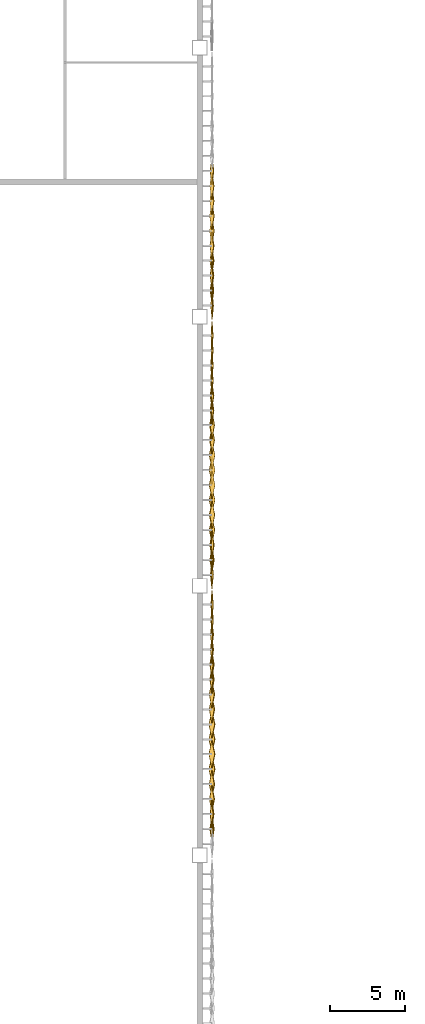
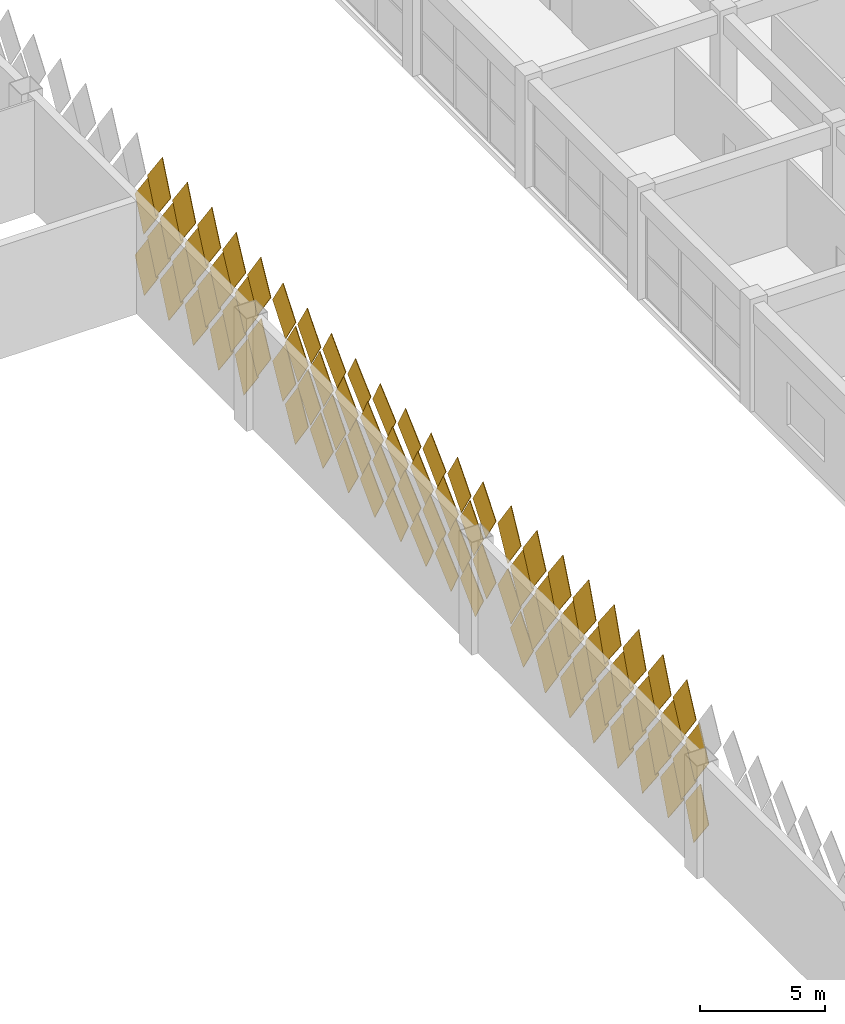
# One storey, part 174 of 185: 86 coverings.
"""IFC4 building model written with IfcOpenShell, lengths in metres."""

from ifc_helpers import new_model, si_unit, direction, frame, origin, place, context, subcontext, project, spatial, polyline, outline, extrude, material, material_profile, profile_set, type_object, element, save


model = new_model("IFC4")

# Units and contexts
model_context = context("Model", 3, precision=1e-05, world=origin(), true_north=direction((0.0, 1.0)))
body_context = subcontext(model_context, "Body", "Model", "MODEL_VIEW")
ifc_project = project(units=[si_unit("LENGTHUNIT", "METRE"), si_unit("AREAUNIT", "SQUARE_METRE"), si_unit("VOLUMEUNIT", "CUBIC_METRE"), si_unit("PLANEANGLEUNIT", "RADIAN"), si_unit("MASSUNIT", "GRAM", prefix="KILO")], contexts=[model_context])

# Site, building, storey
site_placement = place(None, origin())
site = spatial("IfcSite", under=ifc_project, at=site_placement, CompositionType="ELEMENT")
building_placement = place(site_placement, origin())
building = spatial("IfcBuilding", under=site, at=building_placement, Name="Opaline Strait Convention Centre", CompositionType="ELEMENT")
storey_placement = place(building_placement, frame((0.0, 0.0, 6.0)))
storey = spatial("IfcBuildingStorey", under=building, at=storey_placement, Name="L01", CompositionType="ELEMENT", Elevation=6.0)

# Coverings
ifc_material = material(Name="White ceramic-faced aluminium tile", Category="aluminium")
ifc_material_profile_1 = material_profile(ifc_material, outline(polyline([(0.927978515625, 0.0), (0.0, 1.39208984375), (-0.927978515625, 0.0), (0.0, -1.39208984375), (0.927978515625, 0.0)])), Name="Diamond tile 1856x2784")
ifc_profile_set_1 = profile_set([ifc_material_profile_1], Name="White ceramic-faced aluminium tile")
covering_type_1 = type_object("IfcCoveringType", Name="Diamond wall tile 1856x2784x30 pivot 2.5 deg", PredefinedType="CLADDING", material=ifc_profile_set_1)
for number, where, z_axis, x_axis, name in (
    (1, (261.800048828125, 121.75, 1.39208984375), (0.999174794796, 0.0, 0.040616861577), (0.0, 1.0, 0.0), "Wall tile XT05 E"),
    (2, (261.800048828125, 123.75, 1.39208984375), (0.998812351125, 0.0, -0.048722553713), (0.0, 1.0, 0.0), "Wall tile XT05 E"),
    (3, (261.800048828125, 122.75, 2.89208984375), (0.999174794796, 0.0, 0.040616861577), (0.0, 1.0, 0.0), "Wall tile XT05 E"),
    (4, (261.800048828125, 124.75, 2.89208984375), (0.998812351125, 0.0, -0.048722553713), (0.0, 1.0, 0.0), "Wall tile XT05 E"),
    (5, (261.800048828125, 123.75, 4.39208984375), (0.999174794796, 0.0, 0.040616861577), (0.0, 1.0, 0.0), "Wall tile XT05 E"),
    (6, (261.800048828125, 124.75, 5.89208984375), (0.999174794796, 0.0, 0.040616861577), (0.0, 1.0, 0.0), "Wall tile XT05 E"),
    (7, (261.800048828125, 126.75, 5.89208984375), (0.998812351125, 0.0, -0.048722553713), (0.0, 1.0, 0.0), "Wall tile XT05 E"),
):
    element("IfcCovering", number, at=place(storey_placement, frame(where, z_axis=z_axis, x_axis=x_axis)), inside=storey, type_object=covering_type_1, Name=name, PredefinedType="CLADDING", context=body_context, shape_type="SweptSolid", body=[
        extrude(outline(polyline([(0.927978515625, 0.0), (0.0, 1.39208984375), (-0.927978515625, 0.0), (0.0, -1.39208984375), (0.927978515625, 0.0)])), origin(), (0.0, 0.0, 1.0), 0.030029296875),
    ])
ifc_material_profile_2 = material_profile(ifc_material, outline(polyline([(0.927978515625, 0.0), (0.0, 1.39208984375), (-0.927978515625, 0.0), (0.0, -1.39208984375), (0.927978515625, 0.0)])), Name="Diamond tile 1856x2784")
ifc_profile_set_2 = profile_set([ifc_material_profile_2], Name="White ceramic-faced aluminium tile")
covering_type_2 = type_object("IfcCoveringType", Name="Diamond wall tile 1856x2784x30 pivot 3 deg", PredefinedType="CLADDING", material=ifc_profile_set_2)
for number, where, z_axis, x_axis, name in (
    (8, (261.800048828125, 103.75, 1.39208984375), (0.998384516691, 0.0, -0.056818631031), (0.0, 1.0, 0.0), "Wall tile XT06 E"),
    (9, (261.800048828125, 105.75, 1.39208984375), (0.998812351125, 0.0, 0.048722553713), (0.0, 1.0, 0.0), "Wall tile XT06 E"),
    (10, (261.800048828125, 104.75, 2.89208984375), (0.998384516691, 0.0, -0.056818631031), (0.0, 1.0, 0.0), "Wall tile XT06 E"),
    (11, (261.800048828125, 106.75, 2.89208984375), (0.998812351125, 0.0, 0.048722553713), (0.0, 1.0, 0.0), "Wall tile XT06 E"),
    (12, (261.800048828125, 105.75, 4.39208984375), (0.998384516691, 0.0, -0.056818631031), (0.0, 1.0, 0.0), "Wall tile XT06 E"),
    (13, (261.800048828125, 106.75, 5.89208984375), (0.998384516691, 0.0, -0.056818631031), (0.0, 1.0, 0.0), "Wall tile XT06 E"),
    (14, (261.800048828125, 108.75, 5.89208984375), (0.998812351125, 0.0, 0.048722553713), (0.0, 1.0, 0.0), "Wall tile XT06 E"),
):
    element("IfcCovering", number, at=place(storey_placement, frame(where, z_axis=z_axis, x_axis=x_axis)), inside=storey, type_object=covering_type_2, Name=name, PredefinedType="CLADDING", context=body_context, shape_type="SweptSolid", body=[
        extrude(outline(polyline([(0.927978515625, 0.0), (0.0, 1.39208984375), (-0.927978515625, 0.0), (0.0, -1.39208984375), (0.927978515625, 0.0)])), origin(), (0.0, 0.0, 1.0), 0.030029296875),
    ])
ifc_material_profile_3 = material_profile(ifc_material, outline(polyline([(0.927978515625, 0.0), (0.0, 1.39208984375), (-0.927978515625, 0.0), (0.0, -1.39208984375), (0.927978515625, 0.0)])), Name="Diamond tile 1856x2784")
ifc_profile_set_3 = profile_set([ifc_material_profile_3], Name="White ceramic-faced aluminium tile")
covering_type_3 = type_object("IfcCoveringType", Name="Diamond wall tile 1856x2784x30 pivot 3.5 deg", PredefinedType="CLADDING", material=ifc_profile_set_3)
for number, where, z_axis, x_axis, name in (
    (15, (261.800048828125, 119.75, 1.39208984375), (0.99835799028, 0.0, 0.057282835508), (0.0, 1.0, 0.0), "Wall tile XT07 E"),
    (16, (261.800048828125, 120.75, 2.89208984375), (0.99835799028, 0.0, 0.057282835508), (0.0, 1.0, 0.0), "Wall tile XT07 E"),
    (17, (261.800048828125, 126.75, 2.89208984375), (0.99785694905, 0.0, -0.065433242561), (0.0, 1.0, 0.0), "Wall tile XT07 E"),
    (18, (261.800048828125, 127.75, 4.39208984375), (0.99785694905, 0.0, -0.065433242561), (0.0, 1.0, 0.0), "Wall tile XT07 E"),
    (19, (261.800048828125, 128.75, 5.89208984375), (0.99785694905, 0.0, -0.065433242561), (0.0, 1.0, 0.0), "Wall tile XT07 E"),
):
    element("IfcCovering", number, at=place(storey_placement, frame(where, z_axis=z_axis, x_axis=x_axis)), inside=storey, type_object=covering_type_3, Name=name, PredefinedType="CLADDING", context=body_context, shape_type="SweptSolid", body=[
        extrude(outline(polyline([(0.927978515625, 0.0), (0.0, 1.39208984375), (-0.927978515625, 0.0), (0.0, -1.39208984375), (0.927978515625, 0.0)])), origin(), (0.0, 0.0, 1.0), 0.02978515625),
    ])
ifc_material_profile_4 = material_profile(ifc_material, outline(polyline([(0.927978515625, 0.0), (0.0, 1.39208984375), (-0.927978515625, 0.0), (0.0, -1.39208984375), (0.927978515625, 0.0)])), Name="Diamond tile 1856x2784")
ifc_profile_set_4 = profile_set([ifc_material_profile_4], Name="White ceramic-faced aluminium tile")
covering_type_4 = type_object("IfcCoveringType", Name="Diamond wall tile 1856x2784x30 pivot 4 deg", PredefinedType="CLADDING", material=ifc_profile_set_4)
for number, where, z_axis, x_axis, name in (
    (20, (261.800048828125, 101.75, 1.39208984375), (0.997290013252, 0.0, -0.073570574748), (0.0, 1.0, 0.0), "Wall tile XT08 E"),
    (21, (261.800048828125, 102.75, 2.89208984375), (0.997290013252, 0.0, -0.073570574748), (0.0, 1.0, 0.0), "Wall tile XT08 E"),
    (22, (261.800048828125, 91.75, 4.39208984375), (0.997290013252, 0.0, -0.073570574748), (0.0, 1.0, 0.0), "Wall tile XT08 E"),
    (23, (261.800048828125, 109.75, 4.39208984375), (0.99785694905, 0.0, 0.065433242561), (0.0, 1.0, 0.0), "Wall tile XT08 E"),
    (24, (261.800048828125, 121.75, 4.39208984375), (0.99785694905, 0.0, 0.065433242561), (0.0, 1.0, 0.0), "Wall tile XT08 E"),
    (25, (261.800048828125, 92.75, 5.89208984375), (0.997290013252, 0.0, -0.073570574748), (0.0, 1.0, 0.0), "Wall tile XT08 E"),
    (26, (261.800048828125, 110.75, 5.89208984375), (0.99785694905, 0.0, 0.065433242561), (0.0, 1.0, 0.0), "Wall tile XT08 E"),
    (27, (261.800048828125, 122.75, 5.89208984375), (0.99785694905, 0.0, 0.065433242561), (0.0, 1.0, 0.0), "Wall tile XT08 E"),
):
    element("IfcCovering", number, at=place(storey_placement, frame(where, z_axis=z_axis, x_axis=x_axis)), inside=storey, type_object=covering_type_4, Name=name, PredefinedType="CLADDING", context=body_context, shape_type="SweptSolid", body=[
        extrude(outline(polyline([(0.927978515625, 0.0), (0.0, 1.39208984375), (-0.927978515625, 0.0), (0.0, -1.39208984375), (0.927978515625, 0.0)])), origin(), (0.0, 0.0, 1.0), 0.02978515625),
    ])
ifc_material_profile_5 = material_profile(ifc_material, outline(polyline([(0.927978515625, 0.0), (0.0, 1.39208984375), (-0.927978515625, 0.0), (0.0, -1.39208984375), (0.927978515625, 0.0)])), Name="Diamond tile 1856x2784")
ifc_profile_set_5 = profile_set([ifc_material_profile_5], Name="White ceramic-faced aluminium tile")
covering_type_5 = type_object("IfcCoveringType", Name="Diamond wall tile 1856x2784x30 pivot 4.5 deg", PredefinedType="CLADDING", material=ifc_profile_set_5)
for number, where, z_axis, x_axis, name in (
    (28, (261.800048828125, 135.75, 1.39208984375), (0.996657521232, 0.0, -0.081693239445), (0.0, 1.0, 0.0), "Wall tile XT09 E"),
    (29, (261.800048828125, 108.75, 2.89208984375), (0.997290013252, 0.0, 0.073570574748), (0.0, 1.0, 0.0), "Wall tile XT09 E"),
    (30, (261.800048828125, 103.75, 4.39208984375), (0.996657521232, 0.0, -0.081693239445), (0.0, 1.0, 0.0), "Wall tile XT09 E"),
    (31, (261.800048828125, 104.75, 5.89208984375), (0.996657521232, 0.0, -0.081693239445), (0.0, 1.0, 0.0), "Wall tile XT09 E"),
):
    element("IfcCovering", number, at=place(storey_placement, frame(where, z_axis=z_axis, x_axis=x_axis)), inside=storey, type_object=covering_type_5, Name=name, PredefinedType="CLADDING", context=body_context, shape_type="SweptSolid", body=[
        extrude(outline(polyline([(0.927978515625, 0.0), (0.0, 1.39208984375), (-0.927978515625, 0.0), (0.0, -1.39208984375), (0.927978515625, 0.0)])), origin(), (0.0, 0.0, 1.0), 0.02978515625),
    ])
ifc_material_profile_6 = material_profile(ifc_material, outline(polyline([(0.927978515625, 0.0), (0.0, 1.39208984375), (-0.927978515625, 0.0), (0.0, -1.39208984375), (0.927978515625, 0.0)])), Name="Diamond tile 1856x2784")
ifc_profile_set_6 = profile_set([ifc_material_profile_6], Name="White ceramic-faced aluminium tile")
covering_type_6 = type_object("IfcCoveringType", Name="Diamond wall tile 1856x2784x30 pivot 5 deg", PredefinedType="CLADDING", material=ifc_profile_set_6)
for number, where, z_axis, x_axis, name in (
    (32, (261.800048828125, 129.75, 4.39208984375), (0.995959849254, 0.0, -0.089799658539), (0.0, 1.0, 0.0), "Wall tile XT10 E"),
    (33, (261.800048828125, 130.75, 5.89208984375), (0.995959849254, 0.0, -0.089799658539), (0.0, 1.0, 0.0), "Wall tile XT10 E"),
):
    element("IfcCovering", number, at=place(storey_placement, frame(where, z_axis=z_axis, x_axis=x_axis)), inside=storey, type_object=covering_type_6, Name=name, PredefinedType="CLADDING", context=body_context, shape_type="SweptSolid", body=[
        extrude(outline(polyline([(0.927978515625, 0.0), (0.0, 1.39208984375), (-0.927978515625, 0.0), (0.0, -1.39208984375), (0.927978515625, 0.0)])), origin(), (0.0, 0.0, 1.0), 0.02978515625),
    ])
ifc_material_profile_7 = material_profile(ifc_material, outline(polyline([(0.927978515625, 0.0), (0.0, 1.39208984375), (-0.927978515625, 0.0), (0.0, -1.39208984375), (0.927978515625, 0.0)])), Name="Diamond tile 1856x2784")
ifc_profile_set_7 = profile_set([ifc_material_profile_7], Name="White ceramic-faced aluminium tile")
covering_type_7 = type_object("IfcCoveringType", Name="Diamond wall tile 1856x2784x30 pivot 5.5 deg", PredefinedType="CLADDING", material=ifc_profile_set_7)
for number, where, z_axis, x_axis, name in (
    (34, (261.800048828125, 127.75, 1.39208984375), (0.995197410875, 0.0, -0.097888269922), (0.0, 1.0, 0.0), "Wall tile XT11 E"),
    (35, (261.800048828125, 133.75, 1.39208984375), (0.995197410875, 0.0, -0.097888269922), (0.0, 1.0, 0.0), "Wall tile XT11 E"),
    (36, (261.800048828125, 128.75, 2.89208984375), (0.995197410875, 0.0, -0.097888269922), (0.0, 1.0, 0.0), "Wall tile XT11 E"),
    (37, (261.800048828125, 134.75, 2.89208984375), (0.995197410875, 0.0, -0.097888269922), (0.0, 1.0, 0.0), "Wall tile XT11 E"),
    (38, (261.800048828125, 135.75, 4.39208984375), (0.995197410875, 0.0, -0.097888269922), (0.0, 1.0, 0.0), "Wall tile XT11 E"),
):
    element("IfcCovering", number, at=place(storey_placement, frame(where, z_axis=z_axis, x_axis=x_axis)), inside=storey, type_object=covering_type_7, Name=name, PredefinedType="CLADDING", context=body_context, shape_type="SweptSolid", body=[
        extrude(outline(polyline([(0.927978515625, 0.0), (0.0, 1.39208984375), (-0.927978515625, 0.0), (0.0, -1.39208984375), (0.927978515625, 0.0)])), origin(), (0.0, 0.0, 1.0), 0.030029296875),
    ])
ifc_material_profile_8 = material_profile(ifc_material, outline(polyline([(0.927978515625, 0.0), (0.0, 1.39208984375), (-0.927978515625, 0.0), (0.0, -1.39208984375), (0.927978515625, 0.0)])), Name="Diamond tile 1856x2784")
ifc_profile_set_8 = profile_set([ifc_material_profile_8], Name="White ceramic-faced aluminium tile")
covering_type_8 = type_object("IfcCoveringType", Name="Diamond wall tile 1856x2784x30 pivot 6 deg", PredefinedType="CLADDING", material=ifc_profile_set_8)
for number, where, z_axis, x_axis, name in (
    (39, (261.800048828125, 117.75, 1.39208984375), (0.995197410875, 0.0, 0.097888269922), (0.0, 1.0, 0.0), "Wall tile XT12 E"),
    (40, (261.800048828125, 129.75, 1.39208984375), (0.994370656274, 0.0, -0.105957528947), (0.0, 1.0, 0.0), "Wall tile XT12 E"),
    (41, (261.800048828125, 92.75, 2.89208984375), (0.994370656274, 0.0, -0.105957528947), (0.0, 1.0, 0.0), "Wall tile XT12 E"),
    (42, (261.800048828125, 118.75, 2.89208984375), (0.995197410875, 0.0, 0.097888269922), (0.0, 1.0, 0.0), "Wall tile XT12 E"),
    (43, (261.800048828125, 130.75, 2.89208984375), (0.994370656274, 0.0, -0.105957528947), (0.0, 1.0, 0.0), "Wall tile XT12 E"),
    (44, (261.800048828125, 93.75, 4.39208984375), (0.994370656274, 0.0, -0.105957528947), (0.0, 1.0, 0.0), "Wall tile XT12 E"),
    (45, (261.800048828125, 119.75, 4.39208984375), (0.995197410875, 0.0, 0.097888269922), (0.0, 1.0, 0.0), "Wall tile XT12 E"),
    (46, (261.800048828125, 131.75, 4.39208984375), (0.994370656274, 0.0, -0.105957528947), (0.0, 1.0, 0.0), "Wall tile XT12 E"),
    (47, (261.800048828125, 133.75, 4.39208984375), (0.994370656274, 0.0, -0.105957528947), (0.0, 1.0, 0.0), "Wall tile XT12 E"),
    (48, (261.800048828125, 120.75, 5.89208984375), (0.995197410875, 0.0, 0.097888269922), (0.0, 1.0, 0.0), "Wall tile XT12 E"),
    (49, (261.800048828125, 132.75, 5.89208984375), (0.994370656274, 0.0, -0.105957528947), (0.0, 1.0, 0.0), "Wall tile XT12 E"),
    (50, (261.800048828125, 134.75, 5.89208984375), (0.994370656274, 0.0, -0.105957528947), (0.0, 1.0, 0.0), "Wall tile XT12 E"),
):
    element("IfcCovering", number, at=place(storey_placement, frame(where, z_axis=z_axis, x_axis=x_axis)), inside=storey, type_object=covering_type_8, Name=name, PredefinedType="CLADDING", context=body_context, shape_type="SweptSolid", body=[
        extrude(outline(polyline([(0.927978515625, 0.0), (0.0, 1.39208984375), (-0.927978515625, 0.0), (0.0, -1.39208984375), (0.927978515625, 0.0)])), origin(), (0.0, 0.0, 1.0), 0.030029296875),
    ])
ifc_material_profile_9 = material_profile(ifc_material, outline(polyline([(0.927978515625, 0.0), (0.0, 1.39208984375), (-0.927978515625, 0.0), (0.0, -1.39208984375), (0.927978515625, 0.0)])), Name="Diamond tile 1856x2784")
ifc_profile_set_9 = profile_set([ifc_material_profile_9], Name="White ceramic-faced aluminium tile")
covering_type_9 = type_object("IfcCoveringType", Name="Diamond wall tile 1856x2784x30 pivot 6.5 deg", PredefinedType="CLADDING", material=ifc_profile_set_9)
for number, where, z_axis, x_axis, name in (
    (51, (261.800048828125, 91.75, 1.39208984375), (0.993480071526, 0.0, -0.114005909847), (0.0, 1.0, 0.0), "Wall tile XT13 E"),
    (52, (261.800048828125, 99.75, 1.39208984375), (0.993480071526, 0.0, -0.114005909847), (0.0, 1.0, 0.0), "Wall tile XT13 E"),
    (53, (261.800048828125, 109.75, 1.39208984375), (0.993480071526, 0.0, 0.114005909847), (0.0, 1.0, 0.0), "Wall tile XT13 E"),
    (54, (261.800048828125, 131.75, 1.39208984375), (0.993480071526, 0.0, -0.114005909847), (0.0, 1.0, 0.0), "Wall tile XT13 E"),
    (55, (261.800048828125, 100.75, 2.89208984375), (0.993480071526, 0.0, -0.114005909847), (0.0, 1.0, 0.0), "Wall tile XT13 E"),
    (56, (261.800048828125, 110.75, 2.89208984375), (0.993480071526, 0.0, 0.114005909847), (0.0, 1.0, 0.0), "Wall tile XT13 E"),
    (57, (261.800048828125, 132.75, 2.89208984375), (0.993480071526, 0.0, -0.114005909847), (0.0, 1.0, 0.0), "Wall tile XT13 E"),
    (58, (261.800048828125, 101.75, 4.39208984375), (0.993480071526, 0.0, -0.114005909847), (0.0, 1.0, 0.0), "Wall tile XT13 E"),
    (59, (261.800048828125, 111.75, 4.39208984375), (0.993480071526, 0.0, 0.114005909847), (0.0, 1.0, 0.0), "Wall tile XT13 E"),
    (60, (261.800048828125, 94.75, 5.89208984375), (0.993480071526, 0.0, -0.114005909847), (0.0, 1.0, 0.0), "Wall tile XT13 E"),
    (61, (261.800048828125, 102.75, 5.89208984375), (0.993480071526, 0.0, -0.114005909847), (0.0, 1.0, 0.0), "Wall tile XT13 E"),
    (62, (261.800048828125, 112.75, 5.89208984375), (0.993480071526, 0.0, 0.114005909847), (0.0, 1.0, 0.0), "Wall tile XT13 E"),
):
    element("IfcCovering", number, at=place(storey_placement, frame(where, z_axis=z_axis, x_axis=x_axis)), inside=storey, type_object=covering_type_9, Name=name, PredefinedType="CLADDING", context=body_context, shape_type="SweptSolid", body=[
        extrude(outline(polyline([(0.927978515625, 0.0), (0.0, 1.39208984375), (-0.927978515625, 0.0), (0.0, -1.39208984375), (0.927978515625, 0.0)])), origin(), (0.0, 0.0, 1.0), 0.030029296875),
    ])
ifc_material_profile_10 = material_profile(ifc_material, outline(polyline([(0.927978515625, 0.0), (0.0, 1.39208984375), (-0.927978515625, 0.0), (0.0, -1.39208984375), (0.927978515625, 0.0)])), Name="Diamond tile 1856x2784")
ifc_profile_set_10 = profile_set([ifc_material_profile_10], Name="White ceramic-faced aluminium tile")
covering_type_10 = type_object("IfcCoveringType", Name="Diamond wall tile 1856x2784x30 pivot 7.5 deg", PredefinedType="CLADDING", material=ifc_profile_set_10)
for number, where, z_axis, x_axis, name in (
    (63, (261.800048828125, 93.75, 1.39208984375), (0.991509530601, 0.0, -0.1300340368), (0.0, 1.0, 0.0), "Wall tile XT15 E"),
    (64, (261.800048828125, 115.75, 1.39208984375), (0.991509530601, 0.0, 0.1300340368), (0.0, 1.0, 0.0), "Wall tile XT15 E"),
    (65, (261.800048828125, 116.75, 2.89208984375), (0.991509530601, 0.0, 0.1300340368), (0.0, 1.0, 0.0), "Wall tile XT15 E"),
    (66, (261.800048828125, 113.75, 4.39208984375), (0.991509530601, 0.0, 0.1300340368), (0.0, 1.0, 0.0), "Wall tile XT15 E"),
    (67, (261.800048828125, 117.75, 4.39208984375), (0.991509530601, 0.0, 0.1300340368), (0.0, 1.0, 0.0), "Wall tile XT15 E"),
    (68, (261.800048828125, 114.75, 5.89208984375), (0.991509530601, 0.0, 0.1300340368), (0.0, 1.0, 0.0), "Wall tile XT15 E"),
    (69, (261.800048828125, 118.75, 5.89208984375), (0.991509530601, 0.0, 0.1300340368), (0.0, 1.0, 0.0), "Wall tile XT15 E"),
):
    element("IfcCovering", number, at=place(storey_placement, frame(where, z_axis=z_axis, x_axis=x_axis)), inside=storey, type_object=covering_type_10, Name=name, PredefinedType="CLADDING", context=body_context, shape_type="SweptSolid", body=[
        extrude(outline(polyline([(0.927978515625, 0.0), (0.0, 1.39208984375), (-0.927978515625, 0.0), (0.0, -1.39208984375), (0.927978515625, 0.0)])), origin(), (0.0, 0.0, 1.0), 0.030029296875),
    ])
ifc_material_profile_11 = material_profile(ifc_material, outline(polyline([(0.927978515625, 0.0), (0.0, 1.39208984375), (-0.927978515625, 0.0), (0.0, -1.39208984375), (0.927978515625, 0.0)])), Name="Diamond tile 1856x2784")
ifc_profile_set_11 = profile_set([ifc_material_profile_11], Name="White ceramic-faced aluminium tile")
covering_type_11 = type_object("IfcCoveringType", Name="Diamond wall tile 1856x2784x30 pivot 8 deg", PredefinedType="CLADDING", material=ifc_profile_set_11)
for number, where, z_axis, x_axis, name in (
    (70, (261.800048828125, 97.75, 1.39208984375), (0.990274204789, 0.0, -0.139129433731), (0.0, 1.0, 0.0), "Wall tile XT16 E"),
    (71, (261.800048828125, 111.75, 1.39208984375), (0.990274204789, 0.0, 0.139129433731), (0.0, 1.0, 0.0), "Wall tile XT16 E"),
    (72, (261.800048828125, 113.75, 1.39208984375), (0.990274204789, 0.0, 0.139129433731), (0.0, 1.0, 0.0), "Wall tile XT16 E"),
    (73, (261.800048828125, 94.75, 2.89208984375), (0.990274204789, 0.0, -0.139129433731), (0.0, 1.0, 0.0), "Wall tile XT16 E"),
    (74, (261.800048828125, 98.75, 2.89208984375), (0.990274204789, 0.0, -0.139129433731), (0.0, 1.0, 0.0), "Wall tile XT16 E"),
    (75, (261.800048828125, 112.75, 2.89208984375), (0.990274204789, 0.0, 0.139129433731), (0.0, 1.0, 0.0), "Wall tile XT16 E"),
    (76, (261.800048828125, 114.75, 2.89208984375), (0.990274204789, 0.0, 0.139129433731), (0.0, 1.0, 0.0), "Wall tile XT16 E"),
    (77, (261.800048828125, 95.75, 4.39208984375), (0.990274204789, 0.0, -0.139129433731), (0.0, 1.0, 0.0), "Wall tile XT16 E"),
    (78, (261.800048828125, 99.75, 4.39208984375), (0.990274204789, 0.0, -0.139129433731), (0.0, 1.0, 0.0), "Wall tile XT16 E"),
    (79, (261.800048828125, 115.75, 4.39208984375), (0.990274204789, 0.0, 0.139129433731), (0.0, 1.0, 0.0), "Wall tile XT16 E"),
    (80, (261.800048828125, 96.75, 5.89208984375), (0.990274204789, 0.0, -0.139129433731), (0.0, 1.0, 0.0), "Wall tile XT16 E"),
    (81, (261.800048828125, 100.75, 5.89208984375), (0.990274204789, 0.0, -0.139129433731), (0.0, 1.0, 0.0), "Wall tile XT16 E"),
    (82, (261.800048828125, 116.75, 5.89208984375), (0.990274204789, 0.0, 0.139129433731), (0.0, 1.0, 0.0), "Wall tile XT16 E"),
):
    element("IfcCovering", number, at=place(storey_placement, frame(where, z_axis=z_axis, x_axis=x_axis)), inside=storey, type_object=covering_type_11, Name=name, PredefinedType="CLADDING", context=body_context, shape_type="SweptSolid", body=[
        extrude(outline(polyline([(0.927978515625, 0.0), (0.0, 1.39208984375), (-0.927978515625, 0.0), (0.0, -1.39208984375), (0.927978515625, 0.0)])), origin(), (0.0, 0.0, 1.0), 0.02978515625),
    ])
ifc_material_profile_12 = material_profile(ifc_material, outline(polyline([(0.927978515625, 0.0), (0.0, 1.39208984375), (-0.927978515625, 0.0), (0.0, -1.39208984375), (0.927978515625, 0.0)])), Name="Diamond tile 1856x2784")
ifc_profile_set_12 = profile_set([ifc_material_profile_12], Name="White ceramic-faced aluminium tile")
covering_type_12 = type_object("IfcCoveringType", Name="Diamond wall tile 1856x2784x30 pivot 8.5 deg", PredefinedType="CLADDING", material=ifc_profile_set_12)
for number, where, z_axis, x_axis, name in (
    (83, (261.800048828125, 95.75, 1.39208984375), (0.987895005451, 0.0, -0.15512400912), (0.0, 1.0, 0.0), "Wall tile XT17 E"),
    (84, (261.800048828125, 96.75, 2.89208984375), (0.987895005451, 0.0, -0.15512400912), (0.0, 1.0, 0.0), "Wall tile XT17 E"),
    (85, (261.800048828125, 97.75, 4.39208984375), (0.987895005451, 0.0, -0.15512400912), (0.0, 1.0, 0.0), "Wall tile XT17 E"),
    (86, (261.800048828125, 98.75, 5.89208984375), (0.987895005451, 0.0, -0.15512400912), (0.0, 1.0, 0.0), "Wall tile XT17 E"),
):
    element("IfcCovering", number, at=place(storey_placement, frame(where, z_axis=z_axis, x_axis=x_axis)), inside=storey, type_object=covering_type_12, Name=name, PredefinedType="CLADDING", context=body_context, shape_type="SweptSolid", body=[
        extrude(outline(polyline([(0.927978515625, 0.0), (0.0, 1.39208984375), (-0.927978515625, 0.0), (0.0, -1.39208984375), (0.927978515625, 0.0)])), origin(), (0.0, 0.0, 1.0), 0.02978515625),
    ])

save(model, "model.ifc")
